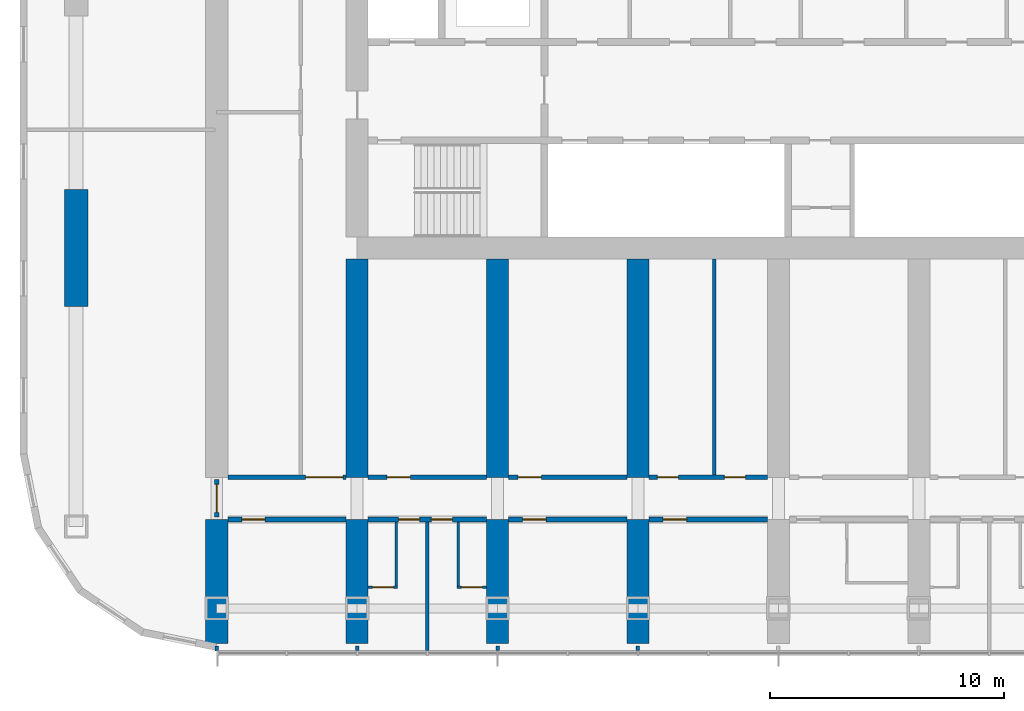
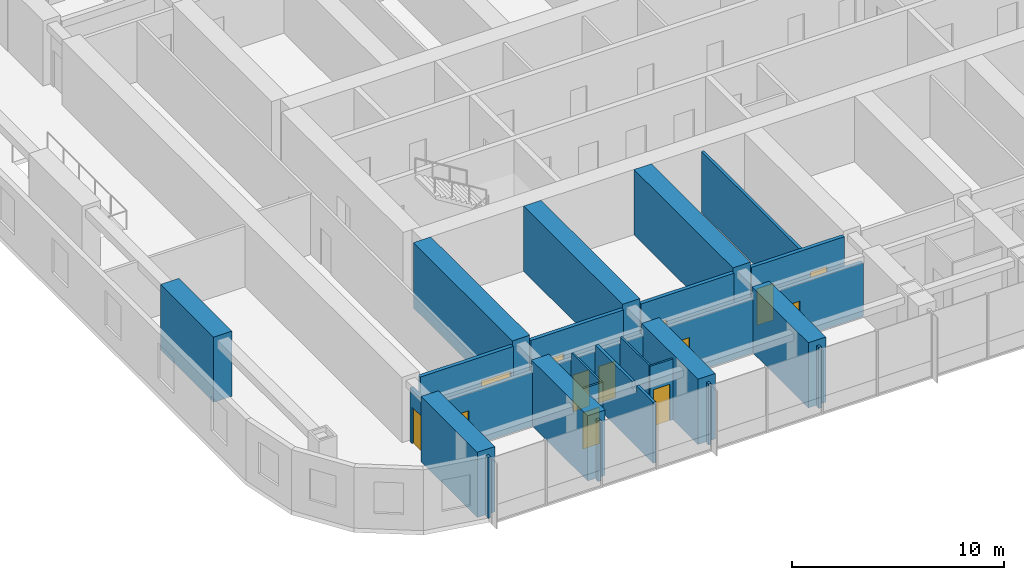
# One storey, part 8 of 21: 27 walls, 13 doors, 13 openings.
"""IFC4 building model written with IfcOpenShell, lengths in metres."""

from ifc_helpers import new_model, si_unit, direction, frame, frame_2d, origin, place, context, subcontext, project, spatial, polyline, rectangle, outline, extrude, material, layer, layer_set, type_object, element, fill, save


model = new_model("IFC4")

# Units and contexts
model_context = context("Model", 3, precision=1e-05, world=origin(), true_north=direction((0.0, 1.0)))
body_context = subcontext(model_context, "Body", "Model", "MODEL_VIEW")
ifc_project = project(units=[si_unit("LENGTHUNIT", "METRE"), si_unit("AREAUNIT", "SQUARE_METRE"), si_unit("VOLUMEUNIT", "CUBIC_METRE"), si_unit("PLANEANGLEUNIT", "RADIAN"), si_unit("MASSUNIT", "GRAM", prefix="KILO")], contexts=[model_context])

# Site, building, storey
site_placement = place(None, origin())
site = spatial("IfcSite", under=ifc_project, at=site_placement, CompositionType="ELEMENT")
building_placement = place(site_placement, origin())
building = spatial("IfcBuilding", under=site, at=building_placement, Name="Orbita Commons", CompositionType="ELEMENT")
storey_placement = place(building_placement, frame((0.0, 0.0, 103.14990234375)))
storey = spatial("IfcBuildingStorey", under=building, at=storey_placement, Name="L25", CompositionType="ELEMENT", Elevation=103.14990234375)

# Wall, opening, door
ifc_material_1 = material(Name="Concrete blockwork", Category="masonry")
ifc_layer_1 = layer(ifc_material_1, 0.199951171875)
ifc_layer_set_1 = layer_set([ifc_layer_1], Name="Concrete blockwork")
wall_type_1 = type_object("IfcWallType", Name="Corridor wall 200 blockwork", PredefinedType="SOLIDWALL", material=ifc_layer_set_1)
wall_1_placement = place(storey_placement, frame((12.47509765625, 14.199951171875, 0.0), z_axis=(0.0, 0.0, 1.0), x_axis=(1.0, 0.0, 0.0)))
wall_1 = element("IfcWall", 1, at=wall_1_placement, inside=storey, type_object=wall_type_1, Name="Corridor wall 200 blockwork L25", PredefinedType="SOLIDWALL", context=body_context, shape_type="SweptSolid", body=[
    extrude(outline(polyline([(0.0, 0.0), (5.0498046875, 0.0), (5.050048828125, 3.10009765625), (0.0, 3.10009765625), (0.0, 0.0)])), frame((0.0, 0.10009765625, 0.0), z_axis=(0.0, -1.0, 0.0), x_axis=(1.0, 0.0, 0.0)), (0.0, 0.0, 1.0), 0.199951171875),
])
opening_1_placement = place(wall_1_placement, frame((0.60009765625, 0.0, 0.0)))
opening_1 = element("IfcOpeningElement", 2, at=opening_1_placement, cuts=wall_1, Name="Opening D06", PredefinedType="OPENING", context=body_context, shape_type="SweptSolid", body=[
    extrude(rectangle(XDim=1.0, YDim=2.10009765625, at=frame_2d((0.5, 1.050048828125))), frame((0.0, 0.10986328125, 0.0), z_axis=(0.0, -1.0, 0.0), x_axis=(1.0, 0.0, 0.0)), (0.0, 0.0, 1.0), 0.219970703125),
])
ifc_material_2 = material(Name="Steel-faced fire door leaf", Category="steel")
door_type_1 = type_object("IfcDoorType", Name="Corridor door 20 min 1000x2100", OperationType="SINGLE_SWING_LEFT", PredefinedType="DOOR", material=ifc_material_2)
door_1_placement = place(opening_1_placement, origin())
door_1 = element("IfcDoor", 3, at=door_1_placement, inside=storey, type_object=door_type_1, Name="Mountain-view lounge L25-S00 door", OperationType="SINGLE_SWING_LEFT", OverallHeight=2.10009765625, OverallWidth=1.0, PredefinedType="DOOR", context=body_context, shape_type="SweptSolid", body=[
    extrude(rectangle(XDim=1.0, YDim=2.10009765625, at=frame_2d((0.5, 1.050048828125))), frame((0.0, 0.02490234375, 0.0), z_axis=(0.0, -1.0, 0.0), x_axis=(1.0, 0.0, 0.0)), (0.0, 0.0, 1.0), 0.050048828125),
])
fill(opening_1, door_1)

# Wall, openings, doors
wall_2_placement = place(storey_placement, frame((18.47509765625, 14.199951171875, 0.0), z_axis=(0.0, 0.0, 1.0), x_axis=(1.0, 0.0, 0.0)))
wall_2 = element("IfcWall", 4, at=wall_2_placement, inside=storey, type_object=wall_type_1, Name="Corridor wall 200 blockwork L25", PredefinedType="SOLIDWALL", context=body_context, shape_type="SweptSolid", body=[
    extrude(outline(polyline([(0.0, 0.0), (5.0498046875, 0.0), (5.050048828125, 3.10009765625), (0.0, 3.10009765625), (0.0, 0.0)])), frame((0.0, 0.10009765625, 0.0), z_axis=(0.0, -1.0, 0.0), x_axis=(1.0, 0.0, 0.0)), (0.0, 0.0, 1.0), 0.199951171875),
])
opening_2_placement = place(wall_2_placement, frame((1.300048828125, 0.0, 0.0)))
opening_2 = element("IfcOpeningElement", 5, at=opening_2_placement, cuts=wall_2, Name="Opening D11", PredefinedType="OPENING", context=body_context, shape_type="SweptSolid", body=[
    extrude(rectangle(XDim=0.89990234375, YDim=2.10009765625, at=frame_2d((0.449951171875, 1.050048828125))), frame((0.0, 0.10986328125, 0.0), z_axis=(0.0, -1.0, 0.0), x_axis=(1.0, 0.0, 0.0)), (0.0, 0.0, 1.0), 0.219970703125),
])
opening_3_placement = place(wall_2_placement, frame((2.699951171875, 0.0, 0.0)))
opening_3 = element("IfcOpeningElement", 6, at=opening_3_placement, cuts=wall_2, Name="Opening D11", PredefinedType="OPENING", context=body_context, shape_type="SweptSolid", body=[
    extrude(rectangle(XDim=0.89990234375, YDim=2.10009765625, at=frame_2d((0.449951171875, 1.050048828125))), frame((0.0, 0.10986328125, 0.0), z_axis=(0.0, -1.0, 0.0), x_axis=(1.0, 0.0, 0.0)), (0.0, 0.0, 1.0), 0.219970703125),
])
ifc_material_3 = material(Name="Steel-faced fire door leaf", Category="steel")
door_type_2 = type_object("IfcDoorType", Name="Corridor door 20 min 900x2100", OperationType="SINGLE_SWING_LEFT", PredefinedType="DOOR", material=ifc_material_3)
door_2_placement = place(opening_2_placement, origin())
door_2 = element("IfcDoor", 7, at=door_2_placement, inside=storey, type_object=door_type_2, Name="Cluster bedroom L25-S02 door", OperationType="SINGLE_SWING_LEFT", OverallHeight=2.10009765625, OverallWidth=0.89990234375, PredefinedType="DOOR", context=body_context, shape_type="SweptSolid", body=[
    extrude(rectangle(XDim=0.89990234375, YDim=2.10009765625, at=frame_2d((0.449951171875, 1.050048828125))), frame((0.0, 0.02490234375, 0.0), z_axis=(0.0, -1.0, 0.0), x_axis=(1.0, 0.0, 0.0)), (0.0, 0.0, 1.0), 0.050048828125),
])
fill(opening_2, door_2)
door_3_placement = place(opening_3_placement, origin())
door_3 = element("IfcDoor", 8, at=door_3_placement, inside=storey, type_object=door_type_2, Name="Cluster bedroom L25-S03 door", OperationType="SINGLE_SWING_LEFT", OverallHeight=2.10009765625, OverallWidth=0.89990234375, PredefinedType="DOOR", context=body_context, shape_type="SweptSolid", body=[
    extrude(rectangle(XDim=0.89990234375, YDim=2.10009765625, at=frame_2d((0.449951171875, 1.050048828125))), frame((0.0, 0.02490234375, 0.0), z_axis=(0.0, -1.0, 0.0), x_axis=(1.0, 0.0, 0.0)), (0.0, 0.0, 1.0), 0.050048828125),
])
fill(opening_3, door_3)

# Wall, opening, door
wall_3_placement = place(storey_placement, frame((24.47509765625, 14.199951171875, 0.0), z_axis=(0.0, 0.0, 1.0), x_axis=(1.0, 0.0, 0.0)))
wall_3 = element("IfcWall", 9, at=wall_3_placement, inside=storey, type_object=wall_type_1, Name="Corridor wall 200 blockwork L25", PredefinedType="SOLIDWALL", context=body_context, shape_type="SweptSolid", body=[
    extrude(outline(polyline([(0.0, 0.0), (5.0498046875, 0.0), (5.050048828125, 3.10009765625), (0.0, 3.10009765625), (0.0, 0.0)])), frame((0.0, 0.10009765625, 0.0), z_axis=(0.0, -1.0, 0.0), x_axis=(1.0, 0.0, 0.0)), (0.0, 0.0, 1.0), 0.199951171875),
])
opening_4_placement = place(wall_3_placement, frame((0.60009765625, 0.0, 0.0)))
opening_4 = element("IfcOpeningElement", 10, at=opening_4_placement, cuts=wall_3, Name="Opening D06", PredefinedType="OPENING", context=body_context, shape_type="SweptSolid", body=[
    extrude(rectangle(XDim=1.0, YDim=2.10009765625, at=frame_2d((0.5, 1.050048828125))), frame((0.0, 0.10986328125, 0.0), z_axis=(0.0, -1.0, 0.0), x_axis=(1.0, 0.0, 0.0)), (0.0, 0.0, 1.0), 0.219970703125),
])
door_4_placement = place(opening_4_placement, origin())
door_4 = element("IfcDoor", 11, at=door_4_placement, inside=storey, type_object=door_type_1, Name="Mountain-view lounge L25-S04 door", OperationType="SINGLE_SWING_LEFT", OverallHeight=2.10009765625, OverallWidth=1.0, PredefinedType="DOOR", context=body_context, shape_type="SweptSolid", body=[
    extrude(rectangle(XDim=1.0, YDim=2.10009765625, at=frame_2d((0.5, 1.050048828125))), frame((0.0, 0.02490234375, 0.0), z_axis=(0.0, -1.0, 0.0), x_axis=(1.0, 0.0, 0.0)), (0.0, 0.0, 1.0), 0.050048828125),
])
fill(opening_4, door_4)

wall_4_placement = place(storey_placement, frame((30.47509765625, 14.199951171875, 0.0), z_axis=(0.0, 0.0, 1.0), x_axis=(1.0, 0.0, 0.0)))
wall_4 = element("IfcWall", 12, at=wall_4_placement, inside=storey, type_object=wall_type_1, Name="Corridor wall 200 blockwork L25", PredefinedType="SOLIDWALL", context=body_context, shape_type="SweptSolid", body=[
    extrude(outline(polyline([(0.0, 0.0), (5.0498046875, 0.0), (5.050048828125, 3.10009765625), (0.0, 3.10009765625), (0.0, 0.0)])), frame((0.0, 0.10009765625, 0.0), z_axis=(0.0, -1.0, 0.0), x_axis=(1.0, 0.0, 0.0)), (0.0, 0.0, 1.0), 0.199951171875),
])
opening_5_placement = place(wall_4_placement, frame((0.60009765625, 0.0, 0.0)))
opening_5 = element("IfcOpeningElement", 13, at=opening_5_placement, cuts=wall_4, Name="Opening D06", PredefinedType="OPENING", context=body_context, shape_type="SweptSolid", body=[
    extrude(rectangle(XDim=1.0, YDim=2.10009765625, at=frame_2d((0.5, 1.050048828125))), frame((0.0, 0.10986328125, 0.0), z_axis=(0.0, -1.0, 0.0), x_axis=(1.0, 0.0, 0.0)), (0.0, 0.0, 1.0), 0.219970703125),
])
door_5_placement = place(opening_5_placement, origin())
door_5 = element("IfcDoor", 14, at=door_5_placement, inside=storey, type_object=door_type_1, Name="Mountain-view lounge L25-S06 door", OperationType="SINGLE_SWING_LEFT", OverallHeight=2.10009765625, OverallWidth=1.0, PredefinedType="DOOR", context=body_context, shape_type="SweptSolid", body=[
    extrude(rectangle(XDim=1.0, YDim=2.10009765625, at=frame_2d((0.5, 1.050048828125))), frame((0.0, 0.02490234375, 0.0), z_axis=(0.0, -1.0, 0.0), x_axis=(1.0, 0.0, 0.0)), (0.0, 0.0, 1.0), 0.050048828125),
])
fill(opening_5, door_5)

wall_5_placement = place(storey_placement, frame((12.0, 14.300048828125, 0.0), z_axis=(0.0, 0.0, 1.0), x_axis=(0.0, 1.0, 0.0)))
wall_5 = element("IfcWall", 15, at=wall_5_placement, inside=storey, type_object=wall_type_1, Name="Corridor wall 200 blockwork L25", PredefinedType="SOLIDWALL", context=body_context, shape_type="SweptSolid", body=[
    extrude(outline(polyline([(0.0, 0.0), (1.599853515625, 0.0), (1.60009765625, 3.10009765625), (0.0, 3.10009765625), (0.0, 0.0)])), frame((0.0, 0.10009765625, 0.0), z_axis=(0.0, -1.0, 0.0), x_axis=(1.0, 0.0, 0.0)), (0.0, 0.0, 1.0), 0.199951171875),
])
opening_6_placement = place(wall_5_placement, frame((0.199951171875, 0.0, 0.0)))
opening_6 = element("IfcOpeningElement", 16, at=opening_6_placement, cuts=wall_5, Name="Opening D12", PredefinedType="OPENING", context=body_context, shape_type="SweptSolid", body=[
    extrude(rectangle(XDim=1.199951171875, YDim=2.10009765625, at=frame_2d((0.60009765625, 1.050048828125))), frame((0.0, 0.10986328125, 0.0), z_axis=(0.0, -1.0, 0.0), x_axis=(1.0, 0.0, 0.0)), (0.0, 0.0, 1.0), 0.219970703125),
])
ifc_material_4 = material(Name="Steel-faced fire door leaf", Category="steel")
door_type_3 = type_object("IfcDoorType", Name="Double corridor door 20 min 1200x2100", OperationType="DOUBLE_DOOR_SINGLE_SWING", PredefinedType="DOOR", material=ifc_material_4)
door_6_placement = place(opening_6_placement, origin())
door_6 = element("IfcDoor", 17, at=door_6_placement, inside=storey, type_object=door_type_3, Name="Lounge doors", OperationType="DOUBLE_DOOR_SINGLE_SWING", OverallHeight=2.10009765625, OverallWidth=1.199951171875, PredefinedType="DOOR", context=body_context, shape_type="SweptSolid", body=[
    extrude(rectangle(XDim=1.199951171875, YDim=2.10009765625, at=frame_2d((0.60009765625, 1.050048828125))), frame((0.0, 0.02490234375, 0.0), z_axis=(0.0, -1.0, 0.0), x_axis=(1.0, 0.0, 0.0)), (0.0, 0.0, 1.0), 0.050048828125),
])
fill(opening_6, door_6)

ifc_material_5 = material(Name="Hollow concrete block 200", Category="concrete")
ifc_layer_2 = layer(ifc_material_5, 0.199951171875)
ifc_layer_set_2 = layer_set([ifc_layer_2], Name="Hollow concrete block 200")
wall_type_2 = type_object("IfcWallType", Name="Corridor wall 200 hollow concrete block", PredefinedType="SOLIDWALL", material=ifc_layer_set_2)
wall_6_placement = place(storey_placement, frame((12.47509765625, 16.0, 0.0), z_axis=(0.0, 0.0, 1.0), x_axis=(1.0, 0.0, 0.0)))
wall_6 = element("IfcWall", 18, at=wall_6_placement, inside=storey, type_object=wall_type_2, Name="Corridor wall 200 hollow concrete block L25", PredefinedType="SOLIDWALL", context=body_context, shape_type="SweptSolid", body=[
    extrude(rectangle(XDim=5.0498046875, YDim=0.199951171875, at=frame_2d((2.52490234375, 0.0))), origin(), (0.0, 0.0, 1.0), 3.5),
])
opening_7_placement = place(wall_6_placement, frame((3.324951171875, 0.0, 0.0)))
opening_7 = element("IfcOpeningElement", 19, at=opening_7_placement, cuts=wall_6, Name="Opening D10", PredefinedType="OPENING", context=body_context, shape_type="SweptSolid", body=[
    extrude(rectangle(XDim=1.60009765625, YDim=2.10009765625, at=frame_2d((0.800048828125, 1.050048828125))), frame((0.0, 0.10986328125, 0.0), z_axis=(0.0, -1.0, 0.0), x_axis=(1.0, 0.0, 0.0)), (0.0, 0.0, 1.0), 0.219970703125),
])
ifc_material_6 = material(Name="Steel-faced fire door leaf", Category="steel")
door_type_4 = type_object("IfcDoorType", Name="Double corridor door 20 min 1600x2100", OperationType="DOUBLE_DOOR_SINGLE_SWING", PredefinedType="DOOR", material=ifc_material_6)
door_7_placement = place(opening_7_placement, origin())
door_7 = element("IfcDoor", 20, at=door_7_placement, inside=storey, type_object=door_type_4, Name="Cross corridor doors", OperationType="DOUBLE_DOOR_SINGLE_SWING", OverallHeight=2.10009765625, OverallWidth=1.60009765625, PredefinedType="DOOR", context=body_context, shape_type="SweptSolid", body=[
    extrude(rectangle(XDim=1.60009765625, YDim=2.10009765625, at=frame_2d((0.800048828125, 1.050048828125))), frame((0.0, 0.02490234375, 0.0), z_axis=(0.0, -1.0, 0.0), x_axis=(1.0, 0.0, 0.0)), (0.0, 0.0, 1.0), 0.050048828125),
])
fill(opening_7, door_7)

wall_7_placement = place(storey_placement, frame((18.47509765625, 16.0, 0.0), z_axis=(0.0, 0.0, 1.0), x_axis=(1.0, 0.0, 0.0)))
wall_7 = element("IfcWall", 21, at=wall_7_placement, inside=storey, type_object=wall_type_2, Name="Corridor wall 200 hollow concrete block L25", PredefinedType="SOLIDWALL", context=body_context, shape_type="SweptSolid", body=[
    extrude(rectangle(XDim=5.0498046875, YDim=0.199951171875, at=frame_2d((2.52490234375, 0.0))), origin(), (0.0, 0.0, 1.0), 3.5),
])
opening_8_placement = place(wall_7_placement, frame((0.800048828125, 0.0, 0.0)))
opening_8 = element("IfcOpeningElement", 22, at=opening_8_placement, cuts=wall_7, Name="Opening D06", PredefinedType="OPENING", context=body_context, shape_type="SweptSolid", body=[
    extrude(rectangle(XDim=1.0, YDim=2.10009765625, at=frame_2d((0.5, 1.050048828125))), frame((0.0, 0.10986328125, 0.0), z_axis=(0.0, -1.0, 0.0), x_axis=(1.0, 0.0, 0.0)), (0.0, 0.0, 1.0), 0.219970703125),
])
door_8_placement = place(opening_8_placement, origin())
door_8 = element("IfcDoor", 23, at=door_8_placement, inside=storey, type_object=door_type_1, Name="Refuse and recycling room L25-BDS18 door", OperationType="SINGLE_SWING_LEFT", OverallHeight=2.10009765625, OverallWidth=1.0, PredefinedType="DOOR", context=body_context, shape_type="SweptSolid", body=[
    extrude(rectangle(XDim=1.0, YDim=2.10009765625, at=frame_2d((0.5, 1.050048828125))), frame((0.0, 0.02490234375, 0.0), z_axis=(0.0, -1.0, 0.0), x_axis=(1.0, 0.0, 0.0)), (0.0, 0.0, 1.0), 0.050048828125),
])
fill(opening_8, door_8)

wall_8_placement = place(storey_placement, frame((24.47509765625, 16.0, 0.0), z_axis=(0.0, 0.0, 1.0), x_axis=(1.0, 0.0, 0.0)))
wall_8 = element("IfcWall", 24, at=wall_8_placement, inside=storey, type_object=wall_type_2, Name="Corridor wall 200 hollow concrete block L25", PredefinedType="SOLIDWALL", context=body_context, shape_type="SweptSolid", body=[
    extrude(rectangle(XDim=5.0498046875, YDim=0.199951171875, at=frame_2d((2.52490234375, 0.0))), origin(), (0.0, 0.0, 1.0), 3.5),
])
opening_9_placement = place(wall_8_placement, frame((0.39990234375, 0.0, 0.0)))
opening_9 = element("IfcOpeningElement", 25, at=opening_9_placement, cuts=wall_8, Name="Opening D06", PredefinedType="OPENING", context=body_context, shape_type="SweptSolid", body=[
    extrude(rectangle(XDim=1.0, YDim=2.10009765625, at=frame_2d((0.5, 1.050048828125))), frame((0.0, 0.10986328125, 0.0), z_axis=(0.0, -1.0, 0.0), x_axis=(1.0, 0.0, 0.0)), (0.0, 0.0, 1.0), 0.219970703125),
])
door_9_placement = place(opening_9_placement, origin())
door_9 = element("IfcDoor", 26, at=door_9_placement, inside=storey, type_object=door_type_1, Name="Drying room L25-BDS24 door", OperationType="SINGLE_SWING_LEFT", OverallHeight=2.10009765625, OverallWidth=1.0, PredefinedType="DOOR", context=body_context, shape_type="SweptSolid", body=[
    extrude(rectangle(XDim=1.0, YDim=2.10009765625, at=frame_2d((0.5, 1.050048828125))), frame((0.0, 0.02490234375, 0.0), z_axis=(0.0, -1.0, 0.0), x_axis=(1.0, 0.0, 0.0)), (0.0, 0.0, 1.0), 0.050048828125),
])
fill(opening_9, door_9)

# Wall, openings, doors
wall_9_placement = place(storey_placement, frame((30.47509765625, 16.0, 0.0), z_axis=(0.0, 0.0, 1.0), x_axis=(1.0, 0.0, 0.0)))
wall_9 = element("IfcWall", 27, at=wall_9_placement, inside=storey, type_object=wall_type_2, Name="Corridor wall 200 hollow concrete block L25", PredefinedType="SOLIDWALL", context=body_context, shape_type="SweptSolid", body=[
    extrude(rectangle(XDim=5.0498046875, YDim=0.199951171875, at=frame_2d((2.52490234375, 0.0))), origin(), (0.0, 0.0, 1.0), 3.5),
])
opening_10_placement = place(wall_9_placement, frame((0.35009765625, 0.0, 0.0)))
opening_10 = element("IfcOpeningElement", 28, at=opening_10_placement, cuts=wall_9, Name="Opening D11", PredefinedType="OPENING", context=body_context, shape_type="SweptSolid", body=[
    extrude(rectangle(XDim=0.89990234375, YDim=2.10009765625, at=frame_2d((0.449951171875, 1.050048828125))), frame((0.0, 0.10986328125, 0.0), z_axis=(0.0, -1.0, 0.0), x_axis=(1.0, 0.0, 0.0)), (0.0, 0.0, 1.0), 0.219970703125),
])
opening_11_placement = place(wall_9_placement, frame((3.215087890625, 0.0, 0.0)))
opening_11 = element("IfcOpeningElement", 29, at=opening_11_placement, cuts=wall_9, Name="Opening D11", PredefinedType="OPENING", context=body_context, shape_type="SweptSolid", body=[
    extrude(rectangle(XDim=0.89990234375, YDim=2.10009765625, at=frame_2d((0.449951171875, 1.050048828125))), frame((0.0, 0.10986328125, 0.0), z_axis=(0.0, -1.0, 0.0), x_axis=(1.0, 0.0, 0.0)), (0.0, 0.0, 1.0), 0.219970703125),
])
door_10_placement = place(opening_10_placement, origin())
door_10 = element("IfcDoor", 30, at=door_10_placement, inside=storey, type_object=door_type_2, Name="Quiet room L25-BDS30 door", OperationType="SINGLE_SWING_LEFT", OverallHeight=2.10009765625, OverallWidth=0.89990234375, PredefinedType="DOOR", context=body_context, shape_type="SweptSolid", body=[
    extrude(rectangle(XDim=0.89990234375, YDim=2.10009765625, at=frame_2d((0.449951171875, 1.050048828125))), frame((0.0, 0.02490234375, 0.0), z_axis=(0.0, -1.0, 0.0), x_axis=(1.0, 0.0, 0.0)), (0.0, 0.0, 1.0), 0.050048828125),
])
fill(opening_10, door_10)
door_11_placement = place(opening_11_placement, origin())
door_11 = element("IfcDoor", 31, at=door_11_placement, inside=storey, type_object=door_type_2, Name="Accessible WC and shower room L25-BDS30n door", OperationType="SINGLE_SWING_LEFT", OverallHeight=2.10009765625, OverallWidth=0.89990234375, PredefinedType="DOOR", context=body_context, shape_type="SweptSolid", body=[
    extrude(rectangle(XDim=0.89990234375, YDim=2.10009765625, at=frame_2d((0.449951171875, 1.050048828125))), frame((0.0, 0.02490234375, 0.0), z_axis=(0.0, -1.0, 0.0), x_axis=(1.0, 0.0, 0.0)), (0.0, 0.0, 1.0), 0.050048828125),
])
fill(opening_11, door_11)

# Walls
ifc_material_7 = material(Name="Concrete C50/60", Category="concrete")
ifc_layer_3 = layer(ifc_material_7, 0.949951171875)
ifc_layer_set_3 = layer_set([ifc_layer_3], Name="Concrete C50/60")
wall_type_3 = type_object("IfcWallType", Name="Cross wall 950 C50/60", PredefinedType="SHEAR", material=ifc_layer_set_3)
for number, where, z_axis, x_axis, name in (
    (32, (12.0, 8.89990234375, 0.0), (0.0, 0.0, 1.0), (0.0, 1.0, 0.0), "Cross wall 3 south outer L25"),
    (33, (18.0, 8.89990234375, 0.0), (0.0, 0.0, 1.0), (0.0, 1.0, 0.0), "Cross wall 4 south outer L25"),
):
    element("IfcWall", number, at=place(storey_placement, frame(where, z_axis=z_axis, x_axis=x_axis)), inside=storey, type_object=wall_type_3, Name=name, PredefinedType="SHEAR", context=body_context, shape_type="SweptSolid", body=[
        extrude(rectangle(XDim=5.300048828125, YDim=0.949951171875, at=frame_2d((2.64990234375, 0.0))), origin(), (0.0, 0.0, 1.0), 3.75),
    ])
wall_10_placement = place(storey_placement, frame((18.0, 16.0, 0.0), z_axis=(0.0, 0.0, 1.0), x_axis=(0.0, 1.0, 0.0)))
element("IfcWall", 34, at=wall_10_placement, inside=storey, type_object=wall_type_3, Name="Cross wall 4 south inner L25", PredefinedType="SHEAR", context=body_context, shape_type="SweptSolid", body=[
    extrude(rectangle(XDim=9.324951171875, YDim=0.949951171875, at=frame_2d((4.66259765625, 0.0))), origin(), (0.0, 0.0, 1.0), 3.75),
])
wall_11_placement = place(storey_placement, frame((24.0, 8.89990234375, 0.0), z_axis=(0.0, 0.0, 1.0), x_axis=(0.0, 1.0, 0.0)))
element("IfcWall", 35, at=wall_11_placement, inside=storey, type_object=wall_type_3, Name="Cross wall 5 south outer L25", PredefinedType="SHEAR", context=body_context, shape_type="SweptSolid", body=[
    extrude(rectangle(XDim=5.300048828125, YDim=0.949951171875, at=frame_2d((2.64990234375, 0.0))), origin(), (0.0, 0.0, 1.0), 3.75),
])
wall_12_placement = place(storey_placement, frame((24.0, 16.0, 0.0), z_axis=(0.0, 0.0, 1.0), x_axis=(0.0, 1.0, 0.0)))
element("IfcWall", 36, at=wall_12_placement, inside=storey, type_object=wall_type_3, Name="Cross wall 5 south inner L25", PredefinedType="SHEAR", context=body_context, shape_type="SweptSolid", body=[
    extrude(rectangle(XDim=9.324951171875, YDim=0.949951171875, at=frame_2d((4.66259765625, 0.0))), origin(), (0.0, 0.0, 1.0), 3.75),
])
wall_13_placement = place(storey_placement, frame((30.0, 8.89990234375, 0.0), z_axis=(0.0, 0.0, 1.0), x_axis=(0.0, 1.0, 0.0)))
element("IfcWall", 37, at=wall_13_placement, inside=storey, type_object=wall_type_3, Name="Cross wall 6 south outer L25", PredefinedType="SHEAR", context=body_context, shape_type="SweptSolid", body=[
    extrude(rectangle(XDim=5.300048828125, YDim=0.949951171875, at=frame_2d((2.64990234375, 0.0))), origin(), (0.0, 0.0, 1.0), 3.75),
])
wall_14_placement = place(storey_placement, frame((30.0, 16.0, 0.0), z_axis=(0.0, 0.0, 1.0), x_axis=(0.0, 1.0, 0.0)))
element("IfcWall", 38, at=wall_14_placement, inside=storey, type_object=wall_type_3, Name="Cross wall 6 south inner L25", PredefinedType="SHEAR", context=body_context, shape_type="SweptSolid", body=[
    extrude(rectangle(XDim=9.324951171875, YDim=0.949951171875, at=frame_2d((4.66259765625, 0.0))), origin(), (0.0, 0.0, 1.0), 3.75),
])

# Wall, opening, door
ifc_material_8 = material(Name="Moisture-resistant plasterboard on steel studs", Category="steel")
ifc_layer_4 = layer(ifc_material_8, 0.10009765625)
ifc_layer_set_4 = layer_set([ifc_layer_4], Name="Moisture-resistant plasterboard on steel studs")
wall_type_4 = type_object("IfcWallType", Name="En-suite partition 100", PredefinedType="PARTITIONING", material=ifc_layer_set_4)
wall_15_placement = place(storey_placement, frame((19.72509765625, 11.300048828125, 0.0), z_axis=(0.0, 0.0, 1.0), x_axis=(-1.0, 0.0, 0.0)))
wall_15 = element("IfcWall", 39, at=wall_15_placement, inside=storey, type_object=wall_type_4, Name="En-suite partition 100 L25", PredefinedType="PARTITIONING", context=body_context, shape_type="SweptSolid", body=[
    extrude(rectangle(XDim=1.25, YDim=0.10009765625, at=frame_2d((0.625, 0.0))), origin(), (0.0, 0.0, 1.0), 3.5),
])
opening_12_placement = place(wall_15_placement, frame((0.175048828125, 0.0, 0.0)))
opening_12 = element("IfcOpeningElement", 40, at=opening_12_placement, cuts=wall_15, Name="Opening D09", PredefinedType="OPENING", context=body_context, shape_type="SweptSolid", body=[
    extrude(rectangle(XDim=0.89990234375, YDim=2.10009765625, at=frame_2d((0.449951171875, 1.050048828125))), frame((0.0, 0.06005859375, 0.0), z_axis=(0.0, -1.0, 0.0), x_axis=(1.0, 0.0, 0.0)), (0.0, 0.0, 1.0), 0.1201171875),
])
ifc_material_9 = material(Name="Laminated timber door leaf", Category="wood")
door_type_5 = type_object("IfcDoorType", Name="En-suite door 900x2100", OperationType="SINGLE_SWING_RIGHT", PredefinedType="DOOR", material=ifc_material_9)
door_12_placement = place(opening_12_placement, origin())
door_12 = element("IfcDoor", 41, at=door_12_placement, inside=storey, type_object=door_type_5, Name="En-suite L25-S02 door", OperationType="SINGLE_SWING_RIGHT", OverallHeight=2.10009765625, OverallWidth=0.89990234375, PredefinedType="DOOR", context=body_context, shape_type="SweptSolid", body=[
    extrude(rectangle(XDim=0.89990234375, YDim=2.10009765625, at=frame_2d((0.449951171875, 1.050048828125))), frame((0.0, 0.02490234375, 0.0), z_axis=(0.0, -1.0, 0.0), x_axis=(1.0, 0.0, 0.0)), (0.0, 0.0, 1.0), 0.050048828125),
])
fill(opening_12, door_12)

# Wall
wall_16_placement = place(storey_placement, frame((19.675048828125, 11.35009765625, 0.0), z_axis=(0.0, 0.0, 1.0), x_axis=(0.0, 1.0, 0.0)))
element("IfcWall", 42, at=wall_16_placement, inside=storey, type_object=wall_type_4, Name="En-suite partition 100 L25", PredefinedType="PARTITIONING", context=body_context, shape_type="SweptSolid", body=[
    extrude(outline(polyline([(0.0, 0.0), (2.75, 0.0), (2.75, 3.10009765625), (2.701904296875, 3.10009765625), (2.699951171875, 3.5), (0.0, 3.5), (0.0, 0.0)])), frame((0.0, 0.050048828125, 0.0), z_axis=(0.0, -1.0, 0.0), x_axis=(1.0, 0.0, 0.0)), (0.0, 0.0, 1.0), 0.10009765625),
])

# Wall, opening, door
wall_17_placement = place(storey_placement, frame((23.52490234375, 11.300048828125, 0.0), z_axis=(0.0, 0.0, 1.0), x_axis=(-1.0, 0.0, 0.0)))
wall_17 = element("IfcWall", 43, at=wall_17_placement, inside=storey, type_object=wall_type_4, Name="En-suite partition 100 L25", PredefinedType="PARTITIONING", context=body_context, shape_type="SweptSolid", body=[
    extrude(rectangle(XDim=1.25, YDim=0.10009765625, at=frame_2d((0.625, 0.0))), origin(), (0.0, 0.0, 1.0), 3.5),
])
opening_13_placement = place(wall_17_placement, frame((0.175048828125, 0.0, 0.0)))
opening_13 = element("IfcOpeningElement", 44, at=opening_13_placement, cuts=wall_17, Name="Opening D09", PredefinedType="OPENING", context=body_context, shape_type="SweptSolid", body=[
    extrude(rectangle(XDim=0.89990234375, YDim=2.10009765625, at=frame_2d((0.449951171875, 1.050048828125))), frame((0.0, 0.06005859375, 0.0), z_axis=(0.0, -1.0, 0.0), x_axis=(1.0, 0.0, 0.0)), (0.0, 0.0, 1.0), 0.1201171875),
])
door_13_placement = place(opening_13_placement, origin())
door_13 = element("IfcDoor", 45, at=door_13_placement, inside=storey, type_object=door_type_5, Name="En-suite L25-S03 door", OperationType="SINGLE_SWING_RIGHT", OverallHeight=2.10009765625, OverallWidth=0.89990234375, PredefinedType="DOOR", context=body_context, shape_type="SweptSolid", body=[
    extrude(rectangle(XDim=0.89990234375, YDim=2.10009765625, at=frame_2d((0.449951171875, 1.050048828125))), frame((0.0, 0.02490234375, 0.0), z_axis=(0.0, -1.0, 0.0), x_axis=(1.0, 0.0, 0.0)), (0.0, 0.0, 1.0), 0.050048828125),
])
fill(opening_13, door_13)

# Walls
wall_18_placement = place(storey_placement, frame((22.324951171875, 11.35009765625, 0.0), z_axis=(0.0, 0.0, 1.0), x_axis=(0.0, 1.0, 0.0)))
element("IfcWall", 46, at=wall_18_placement, inside=storey, type_object=wall_type_4, Name="En-suite partition 100 L25", PredefinedType="PARTITIONING", context=body_context, shape_type="SweptSolid", body=[
    extrude(outline(polyline([(0.0, 0.0), (2.75, 0.0), (2.75, 3.10009765625), (2.701904296875, 3.10009765625), (2.699951171875, 3.5), (0.0, 3.5), (0.0, 0.0)])), frame((0.0, 0.050048828125, 0.0), z_axis=(0.0, -1.0, 0.0), x_axis=(1.0, 0.0, 0.0)), (0.0, 0.0, 1.0), 0.10009765625),
])
ifc_material_10 = material(Name="Concrete C50/60", Category="concrete")
ifc_layer_5 = layer(ifc_material_10, 1.0)
ifc_layer_set_5 = layer_set([ifc_layer_5], Name="Concrete C50/60")
wall_type_5 = type_object("IfcWallType", Name="End pier 1000x5000 C50/60", PredefinedType="SHEAR", material=ifc_layer_set_5)
wall_19_placement = place(storey_placement, frame((6.0, 23.300048828125, 0.0), z_axis=(0.0, 0.0, 1.0), x_axis=(0.0, 1.0, 0.0)))
element("IfcWall", 47, at=wall_19_placement, inside=storey, type_object=wall_type_5, Name="End pier 2/C L25", PredefinedType="SHEAR", context=body_context, shape_type="SweptSolid", body=[
    extrude(rectangle(XDim=5.0, YDim=1.0, at=frame_2d((2.5, 0.0))), origin(), (0.0, 0.0, 1.0), 3.75),
])
ifc_material_11 = material(Name="Gypsum plasterboard on steel studs", Category="steel")
ifc_layer_6 = layer(ifc_material_11, 0.14990234375)
ifc_layer_set_6 = layer_set([ifc_layer_6], Name="Gypsum plasterboard on steel studs")
wall_type_6 = type_object("IfcWallType", Name="Partition 150 plasterboard", PredefinedType="PARTITIONING", material=ifc_layer_set_6)
wall_20_placement = place(storey_placement, frame((33.264892578125, 16.10009765625, 0.0), z_axis=(0.0, 0.0, 1.0), x_axis=(0.0, 1.0, 0.0)))
element("IfcWall", 48, at=wall_20_placement, inside=storey, type_object=wall_type_6, Name="Partition 150 plasterboard L25", PredefinedType="PARTITIONING", context=body_context, shape_type="SweptSolid", body=[
    extrude(rectangle(XDim=9.224853515625, YDim=0.14990234375, at=frame_2d((4.6123046875, 0.0))), origin(), (0.0, 0.0, 1.0), 3.5),
])
wall_21_placement = place(storey_placement, frame((12.0, 8.800048828125, 0.0), z_axis=(0.0, 0.0, 1.0), x_axis=(0.0, -1.0, 0.0)))
element("IfcWall", 49, at=wall_21_placement, inside=storey, type_object=wall_type_6, Name="Partition 150 plasterboard L25", PredefinedType="PARTITIONING", context=body_context, shape_type="SweptSolid", body=[
    extrude(rectangle(XDim=0.219970703125, YDim=0.14990234375, at=frame_2d((0.10986328125, 0.0))), origin(), (0.0, 0.0, 1.0), 3.5),
])
for number, where, z_axis, x_axis, name in (
    (50, (18.0, 8.800048828125, 0.0), (0.0, 0.0, 1.0), (0.0, -1.0, 0.0), "Partition 150 plasterboard L25"),
    (51, (24.0, 8.800048828125, 0.0), (0.0, 0.0, 1.0), (0.0, -1.0, 0.0), "Partition 150 plasterboard L25"),
    (52, (30.0, 8.800048828125, 0.0), (0.0, 0.0, 1.0), (0.0, -1.0, 0.0), "Partition 150 plasterboard L25"),
):
    element("IfcWall", number, at=place(storey_placement, frame(where, z_axis=z_axis, x_axis=x_axis)), inside=storey, type_object=wall_type_6, Name=name, PredefinedType="PARTITIONING", context=body_context, shape_type="SweptSolid", body=[
        extrude(rectangle(XDim=0.18994140625, YDim=0.14990234375, at=frame_2d((0.094970703125, 0.0))), origin(), (0.0, 0.0, 1.0), 3.5),
    ])
ifc_material_12 = material(Name="Gypsum plasterboard on steel studs", Category="steel")
ifc_layer_7 = layer(ifc_material_12, 0.14990234375)
ifc_layer_set_7 = layer_set([ifc_layer_7], Name="Gypsum plasterboard on steel studs")
wall_type_7 = type_object("IfcWallType", Name="Party wall 150 plasterboard", PredefinedType="PARTITIONING", material=ifc_layer_set_7)
wall_22_placement = place(storey_placement, frame((21.0, 8.610107421875, 0.0), z_axis=(0.0, 0.0, 1.0), x_axis=(0.0, 1.0, 0.0)))
element("IfcWall", 53, at=wall_22_placement, inside=storey, type_object=wall_type_7, Name="Party wall 150 plasterboard L25", PredefinedType="PARTITIONING", context=body_context, shape_type="SweptSolid", body=[
    extrude(outline(polyline([(0.0, 0.0), (5.489990234375, 0.0), (5.489990234375, 3.10009765625), (5.44189453125, 3.10009765625), (5.43994140625, 3.5), (1.991943359375, 3.5), (1.989990234375, 3.10009765625), (1.592041015625, 3.10009765625), (1.590087890625, 3.5), (0.0, 3.5), (0.0, 0.0)])), frame((0.0, 0.074951171875, 0.0), z_axis=(0.0, -1.0, 0.0), x_axis=(1.0, 0.0, 0.0)), (0.0, 0.0, 1.0), 0.14990234375),
])

save(model, "model.ifc")
